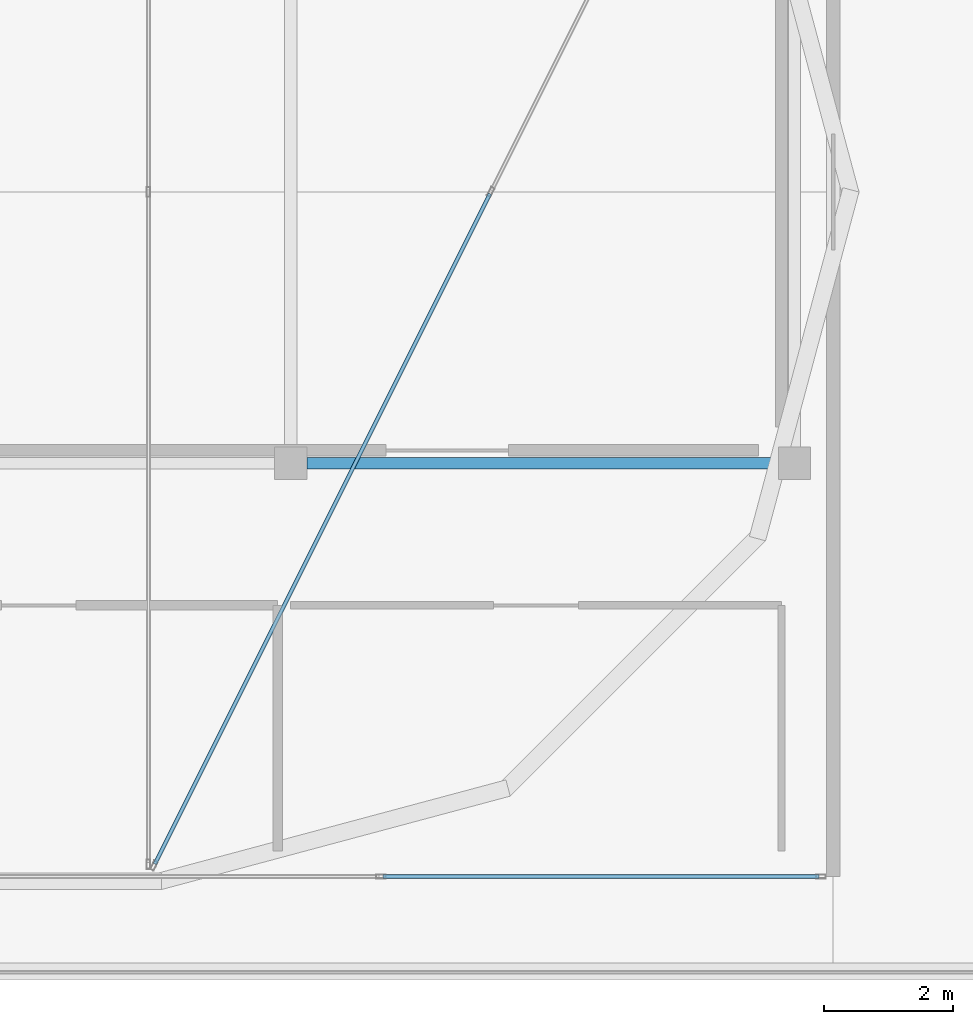
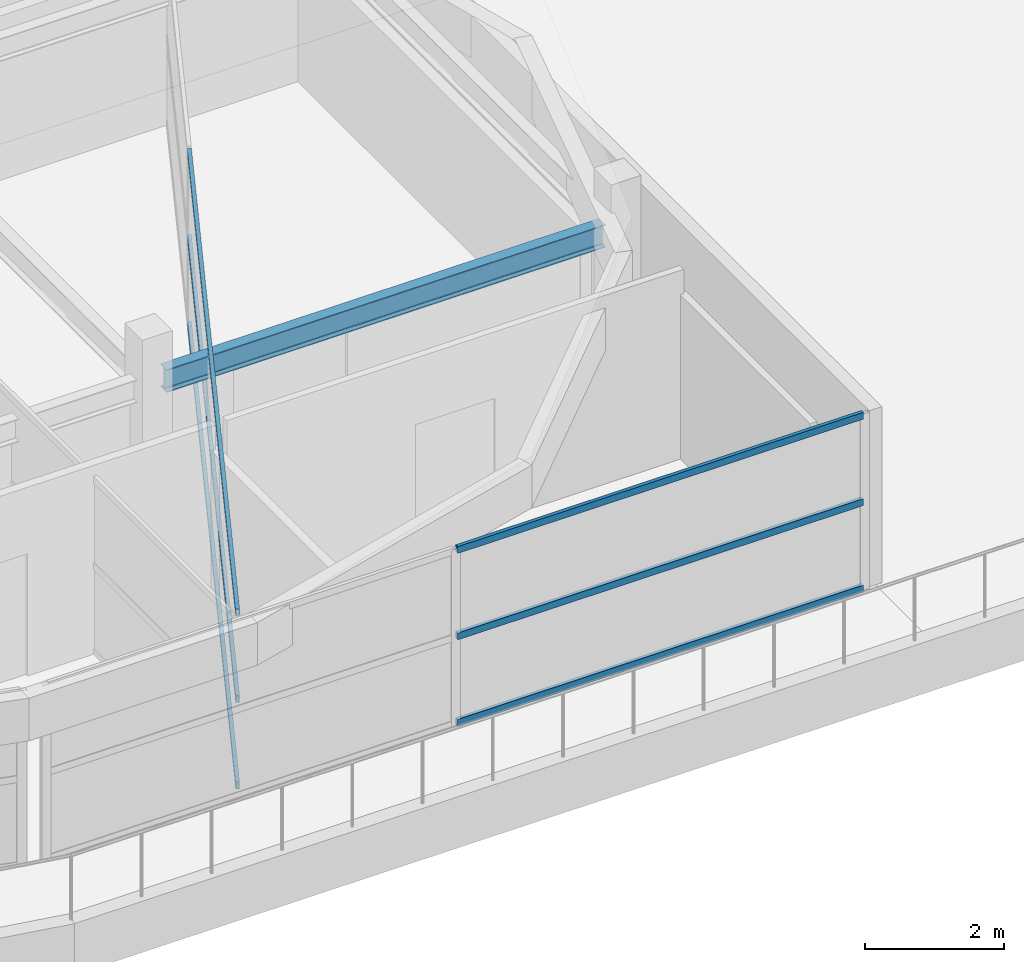
# One storey, part 6 of 15: 6 members, 1 beam, 2 elements without a shape of their own.
"""IFC4 building model written with IfcOpenShell, lengths in metres."""

from ifc_helpers import new_model, si_unit, direction, frame, origin, origin_2d, place, context, subcontext, project, spatial, hollow_rectangle, i_section, extrude, material, layer, layer_set, material_profile, profile_set, type_object, element, aggregate, save


model = new_model("IFC4")

# Units and contexts
model_context = context("Model", 3, precision=1e-05, world=origin(), true_north=direction((0.0, 1.0)))
body_context = subcontext(model_context, "Body", "Model", "MODEL_VIEW")
ifc_project = project(units=[si_unit("LENGTHUNIT", "METRE"), si_unit("AREAUNIT", "SQUARE_METRE"), si_unit("VOLUMEUNIT", "CUBIC_METRE"), si_unit("PLANEANGLEUNIT", "RADIAN"), si_unit("MASSUNIT", "GRAM", prefix="KILO")], contexts=[model_context])

# Site, building, storey
site_placement = place(None, origin())
site = spatial("IfcSite", under=ifc_project, at=site_placement, CompositionType="ELEMENT")
building_placement = place(site_placement, origin())
building = spatial("IfcBuilding", under=site, at=building_placement, Name="Zizhar Promenade General Hospital", CompositionType="ELEMENT")
storey_placement = place(building_placement, frame((0.0, 0.0, 43.199951171875)))
storey = spatial("IfcBuildingStorey", under=building, at=storey_placement, Name="Roof", CompositionType="ELEMENT", Elevation=43.199951171875)

# Beam
ifc_material_1 = material(Name="Steel S355", Category="steel")
ifc_material_profile_1 = material_profile(ifc_material_1, i_section(OverallWidth=0.179931640625, OverallDepth=0.39990234375, WebThickness=0.008544921875, FlangeThickness=0.013427734375, FilletRadius=0.02099609375, at=origin_2d()))
ifc_profile_set_1 = profile_set([ifc_material_profile_1], Name="Steel S355")
beam_type = type_object("IfcBeamType", Name="BM-STL-IPE400", PredefinedType="JOIST", material=ifc_profile_set_1)
beam_placement = place(storey_placement, frame((62.64990234375, 8.39990234375, 2.610107421875), z_axis=(1.0, 0.0, 0.0), x_axis=(0.0, 1.0, 0.0)))
element("IfcBeam", 1, at=beam_placement, inside=storey, type_object=beam_type, Name="Grid Beam X Roof (8-1)", PredefinedType="JOIST", context=body_context, shape_type="SweptSolid", body=[
    extrude(i_section(OverallWidth=0.179931640625, OverallDepth=0.39990234375, WebThickness=0.008544921875, FlangeThickness=0.013427734375, FilletRadius=0.02099609375, at=origin_2d()), origin(), (0.0, 0.0, 1.0), 7.300048828125),
])

# Curtain wall, members
ifc_material_2 = material(Name="Anodised aluminium 6063-T6 and low-E glass", Category="aluminium")
ifc_layer = layer(ifc_material_2, 0.159912109375)
ifc_layer_set = layer_set([ifc_layer], Name="Anodised aluminium 6063-T6 and low-E glass")
curtain_wall_type = type_object("IfcCurtainWallType", Name="CW-WARD-ARC", PredefinedType="NOTDEFINED", material=ifc_layer_set)
curtain_wall_1_placement = place(storey_placement, origin())
curtain_wall_1 = element("IfcCurtainWall", 2, at=curtain_wall_1_placement, inside=storey, type_object=curtain_wall_type, Name="Rooftop Pillow Crown Glazing 02", PredefinedType="NOTDEFINED")
ifc_material_3 = material(Name="Anodised aluminium 6063-T6", Category="aluminium")
ifc_material_profile_2 = material_profile(ifc_material_3, hollow_rectangle(XDim=0.06005859375, YDim=0.1201171875, WallThickness=0.00390625, at=origin_2d()))
ifc_profile_set_2 = profile_set([ifc_material_profile_2], Name="Anodised aluminium 6063-T6")
member_type = type_object("IfcMemberType", Name="CWT-ALU-120x60", PredefinedType="USERDEFINED", material=ifc_profile_set_2)
member_1_placement = place(storey_placement, frame((60.29833984375, 2.19677734375, 0.030029296875), z_axis=(0.4472135955, 0.894427191, 0.0), x_axis=(-0.894427191, 0.4472135955, 0.0)))
member_1 = element("IfcMember", 3, at=member_1_placement, type_object=member_type, Name="CW-12 transom 1.1", ObjectType="TRANSOM", PredefinedType="USERDEFINED", context=body_context, shape_type="SweptSolid", body=[
    extrude(hollow_rectangle(XDim=0.06005859375, YDim=0.1201171875, WallThickness=0.00390625, at=origin_2d()), origin(), (0.0, 0.0, 1.0), 11.601318359375),
])
member_2_placement = place(storey_placement, frame((60.29833984375, 2.19677734375, 1.550048828125), z_axis=(0.4472135955, 0.894427191, 0.0), x_axis=(-0.894427191, 0.4472135955, 0.0)))
member_2 = element("IfcMember", 4, at=member_2_placement, type_object=member_type, Name="CW-12 transom 1.2", ObjectType="TRANSOM", PredefinedType="USERDEFINED", context=body_context, shape_type="SweptSolid", body=[
    extrude(hollow_rectangle(XDim=0.06005859375, YDim=0.1201171875, WallThickness=0.00390625, at=origin_2d()), origin(), (0.0, 0.0, 1.0), 11.601318359375),
])
member_3_placement = place(storey_placement, frame((60.29833984375, 2.19677734375, 3.070068359375), z_axis=(0.4472135955, 0.894427191, 0.0), x_axis=(-0.894427191, 0.4472135955, 0.0)))
member_3 = element("IfcMember", 5, at=member_3_placement, type_object=member_type, Name="CW-12 transom 1.3", ObjectType="TRANSOM", PredefinedType="USERDEFINED", context=body_context, shape_type="SweptSolid", body=[
    extrude(hollow_rectangle(XDim=0.06005859375, YDim=0.1201171875, WallThickness=0.00390625, at=origin_2d()), origin(), (0.0, 0.0, 1.0), 11.601318359375),
])
aggregate(curtain_wall_1, [member_1, member_2, member_3])

curtain_wall_2_placement = place(storey_placement, origin())
curtain_wall_2 = element("IfcCurtainWall", 6, at=curtain_wall_2_placement, inside=storey, type_object=curtain_wall_type, Name="Rooftop Pillow Crown Glazing 11", PredefinedType="NOTDEFINED")
member_4_placement = place(storey_placement, frame((70.580078125, 2.0, 0.030029296875), z_axis=(-1.0, 0.0, 0.0), x_axis=(0.0, -1.0, 0.0)))
member_4 = element("IfcMember", 7, at=member_4_placement, type_object=member_type, Name="CW-12 transom 1.1", ObjectType="TRANSOM", PredefinedType="USERDEFINED", context=body_context, shape_type="SweptSolid", body=[
    extrude(hollow_rectangle(XDim=0.06005859375, YDim=0.1201171875, WallThickness=0.00390625, at=origin_2d()), origin(), (0.0, 0.0, 1.0), 6.75),
])
member_5_placement = place(storey_placement, frame((70.580078125, 2.0, 1.550048828125), z_axis=(-1.0, 0.0, 0.0), x_axis=(0.0, -1.0, 0.0)))
member_5 = element("IfcMember", 8, at=member_5_placement, type_object=member_type, Name="CW-12 transom 1.2", ObjectType="TRANSOM", PredefinedType="USERDEFINED", context=body_context, shape_type="SweptSolid", body=[
    extrude(hollow_rectangle(XDim=0.06005859375, YDim=0.1201171875, WallThickness=0.00390625, at=origin_2d()), origin(), (0.0, 0.0, 1.0), 6.75),
])
member_6_placement = place(storey_placement, frame((70.580078125, 2.0, 3.070068359375), z_axis=(-1.0, 0.0, 0.0), x_axis=(0.0, -1.0, 0.0)))
member_6 = element("IfcMember", 9, at=member_6_placement, type_object=member_type, Name="CW-12 transom 1.3", ObjectType="TRANSOM", PredefinedType="USERDEFINED", context=body_context, shape_type="SweptSolid", body=[
    extrude(hollow_rectangle(XDim=0.06005859375, YDim=0.1201171875, WallThickness=0.00390625, at=origin_2d()), origin(), (0.0, 0.0, 1.0), 6.75),
])
aggregate(curtain_wall_2, [member_4, member_5, member_6])

save(model, "model.ifc")
